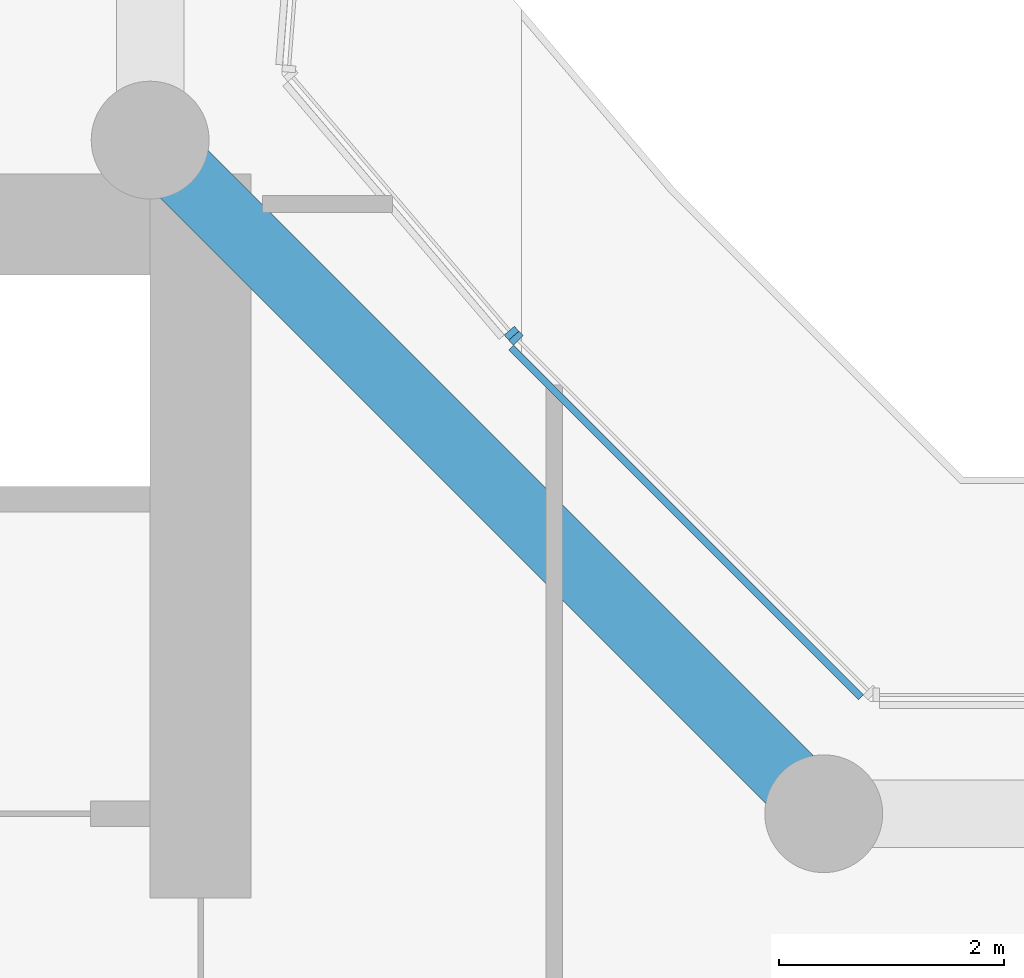
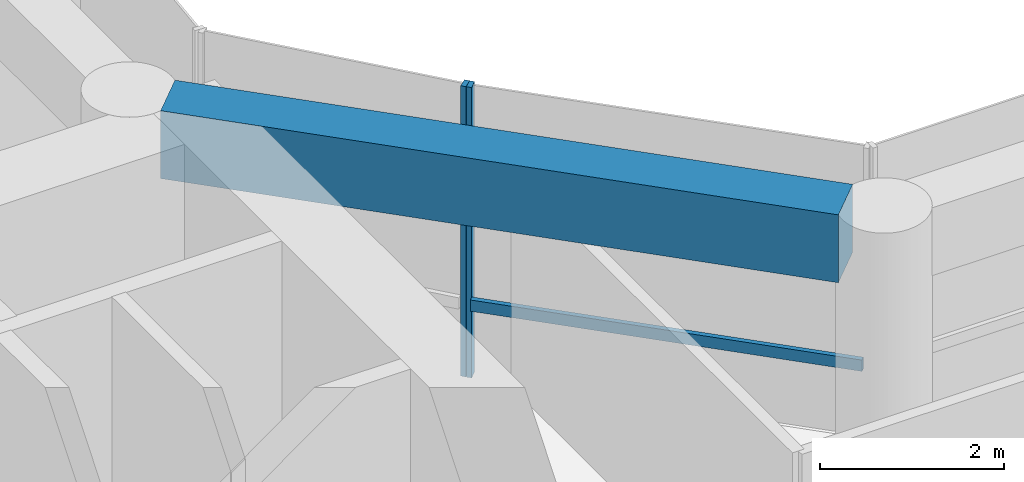
# One storey, part 5 of 29: 3 members, 1 beam, 2 elements without a shape of their own.
"""IFC4 building model written with IfcOpenShell, lengths in metres."""

from ifc_helpers import new_model, si_unit, direction, frame, origin, origin_2d, place, context, subcontext, project, spatial, rectangle, extrude, material, layer, layer_set, material_profile, profile_set, type_object, element, aggregate, save


model = new_model("IFC4")

# Units and contexts
model_context = context("Model", 3, precision=1e-05, world=origin(), true_north=direction((0.0, 1.0)))
body_context = subcontext(model_context, "Body", "Model", "MODEL_VIEW")
ifc_project = project(units=[si_unit("LENGTHUNIT", "METRE"), si_unit("AREAUNIT", "SQUARE_METRE"), si_unit("VOLUMEUNIT", "CUBIC_METRE"), si_unit("PLANEANGLEUNIT", "RADIAN"), si_unit("MASSUNIT", "GRAM", prefix="KILO")], contexts=[model_context])

# Site, building, storey
site_placement = place(None, origin())
site = spatial("IfcSite", under=ifc_project, at=site_placement, CompositionType="ELEMENT")
building_placement = place(site_placement, origin())
building = spatial("IfcBuilding", under=site, at=building_placement, Name="Welwitschia Terrace Campus", CompositionType="ELEMENT")
storey_placement = place(building_placement, frame((0.0, 0.0, 33.199951171875)))
storey = spatial("IfcBuildingStorey", under=building, at=storey_placement, Name="L07", CompositionType="ELEMENT", Elevation=33.199951171875)

# Curtain wall, member
ifc_material_1 = material(Name="Bronze anodised aluminium", Category="aluminium")
ifc_layer = layer(ifc_material_1, 0.1201171875)
ifc_layer_set = layer_set([ifc_layer], Name="Bronze anodised aluminium")
curtain_wall_type = type_object("IfcCurtainWallType", Name="Curtain wall CW2 tower 6000", PredefinedType="NOTDEFINED", material=ifc_layer_set)
curtain_wall_1_placement = place(storey_placement, origin())
curtain_wall_1 = element("IfcCurtainWall", 1, at=curtain_wall_1_placement, inside=storey, type_object=curtain_wall_type, Name="CW L07.12.0", PredefinedType="NOTDEFINED")
ifc_material_2 = material(Name="Bronze anodised aluminium", Category="aluminium")
ifc_material_profile_1 = material_profile(ifc_material_2, rectangle(XDim=0.1201171875, YDim=0.06005859375, at=origin_2d()))
ifc_profile_set_1 = profile_set([ifc_material_profile_1], Name="Bronze anodised aluminium")
member_type_1 = type_object("IfcMemberType", Name="Mullion 60x120", PredefinedType="MULLION", material=ifc_profile_set_1)
member_1_placement = place(storey_placement, frame((27.260009765625, 24.236328125, 0.0), z_axis=(0.0, 0.0, 1.0), x_axis=(-0.707106781187, -0.707106781187, 0.0)))
member_1 = element("IfcMember", 2, at=member_1_placement, type_object=member_type_1, Name="Mullion L07.12.0.1", PredefinedType="MULLION", context=body_context, shape_type="SweptSolid", body=[
    extrude(rectangle(XDim=0.1201171875, YDim=0.06005859375, at=origin_2d()), origin(), (0.0, 0.0, 1.0), 3.85009765625),
])

curtain_wall_2_placement = place(storey_placement, origin())
curtain_wall_2 = element("IfcCurtainWall", 3, at=curtain_wall_2_placement, inside=storey, type_object=curtain_wall_type, Name="CW L07.13.0", PredefinedType="NOTDEFINED")
member_2_placement = place(storey_placement, frame((27.21923828125, 24.2802734375, 0.0), z_axis=(0.0, 0.0, 1.0), x_axis=(-0.7604059656, -0.64944804833, 0.0)))
member_2 = element("IfcMember", 4, at=member_2_placement, type_object=member_type_1, Name="Mullion L07.13.0.0", PredefinedType="MULLION", context=body_context, shape_type="SweptSolid", body=[
    extrude(rectangle(XDim=0.1201171875, YDim=0.06005859375, at=origin_2d()), origin(), (0.0, 0.0, 1.0), 3.85009765625),
])
aggregate(curtain_wall_2, [member_2])

# Beam
ifc_material_3 = material(Name="Concrete C60/75", Category="concrete")
ifc_material_profile_2 = material_profile(ifc_material_3, rectangle(XDim=0.60009765625, YDim=0.89990234375, at=origin_2d()))
ifc_profile_set_2 = profile_set([ifc_material_profile_2], Name="Concrete C60/75")
beam_type = type_object("IfcBeamType", Name="Ring spandrel 600x900", PredefinedType="SPANDREL", material=ifc_profile_set_2)
beam_placement = place(storey_placement, frame((29.69482421875, 20.30517578125, 3.400146484375), z_axis=(-0.707106781187, 0.707106781187, 0.0), x_axis=(-0.707106781187, -0.707106781187, 0.0)))
element("IfcBeam", 5, at=beam_placement, inside=storey, type_object=beam_type, Name="Spandrel SP2", PredefinedType="SPANDREL", context=body_context, shape_type="SweptSolid", body=[
    extrude(rectangle(XDim=0.60009765625, YDim=0.89990234375, at=origin_2d()), origin(), (0.0, 0.0, 1.0), 7.6220703125),
])

# Member
ifc_material_4 = material(Name="Bronze anodised aluminium", Category="aluminium")
ifc_material_profile_3 = material_profile(ifc_material_4, rectangle(XDim=0.06005859375, YDim=0.14990234375, at=origin_2d()))
ifc_profile_set_3 = profile_set([ifc_material_profile_3], Name="Bronze anodised aluminium")
member_type_2 = type_object("IfcMemberType", Name="Transom 60x150", PredefinedType="USERDEFINED", material=ifc_profile_set_3)
member_3_placement = place(storey_placement, frame((30.332275390625, 21.036865234375, 1.0), z_axis=(-0.707134494019, 0.707079067268, 0.0), x_axis=(-0.707079067268, -0.707134494019, 0.0)))
member_3 = element("IfcMember", 6, at=member_3_placement, type_object=member_type_2, Name="Transom L07.12.0", ObjectType="TRANSOM", PredefinedType="USERDEFINED", context=body_context, shape_type="SweptSolid", body=[
    extrude(rectangle(XDim=0.06005859375, YDim=0.14990234375, at=origin_2d()), origin(), (0.0, 0.0, 1.0), 4.40478515625),
])

aggregate(curtain_wall_1, [member_1, member_3])

save(model, "model.ifc")
